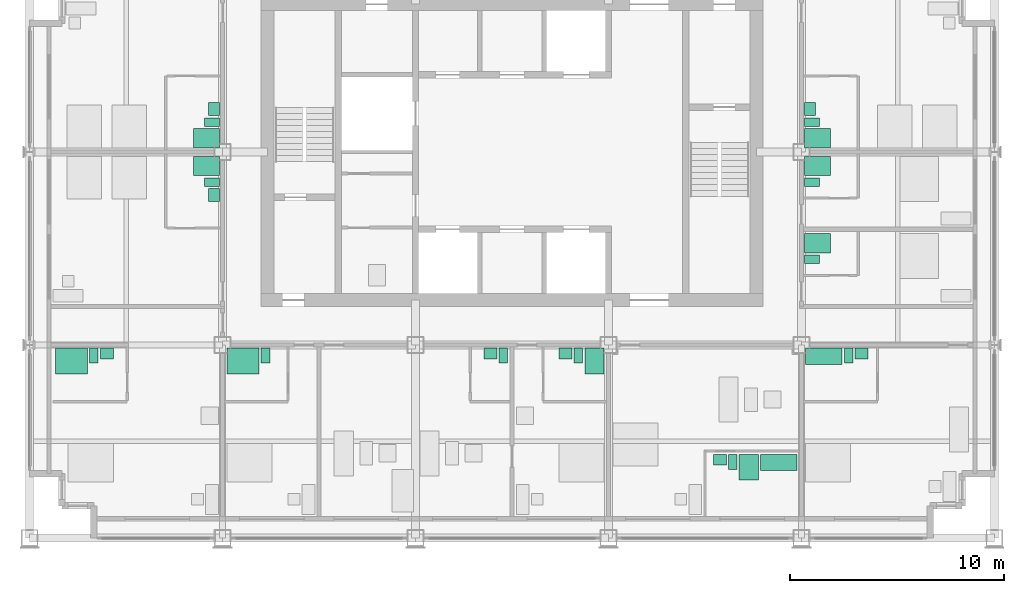
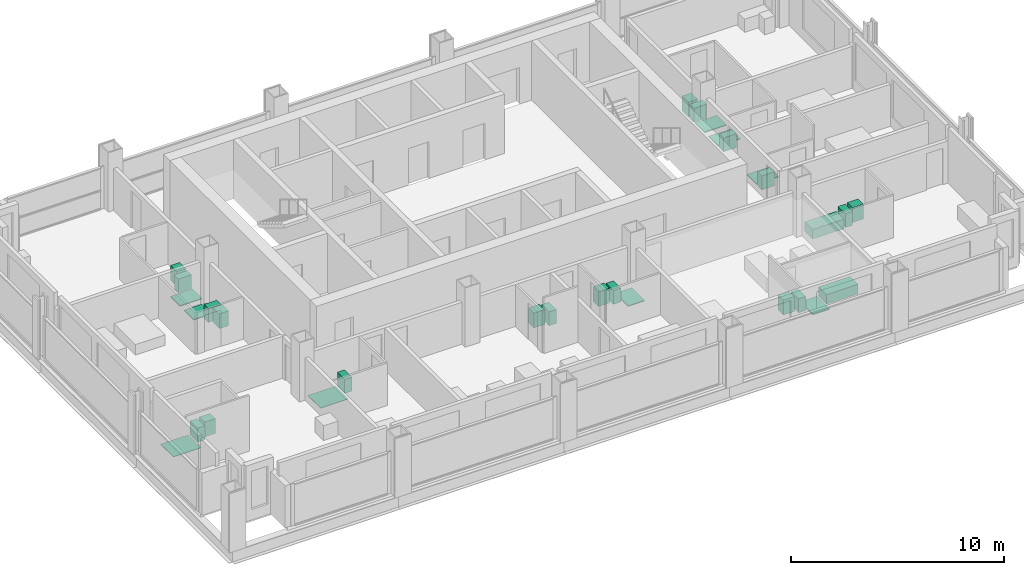
# One storey, part 12 of 13: 30 sanitary terminals.
"""IFC4 building model written with IfcOpenShell, lengths in metres."""

from ifc_helpers import new_model, si_unit, direction, frame, origin, origin_2d, place, context, subcontext, project, spatial, rectangle, extrude, element, save


model = new_model("IFC4")

# Units and contexts
model_context = context("Model", 3, precision=1e-05, world=origin(), true_north=direction((0.0, 1.0)))
body_context = subcontext(model_context, "Body", "Model", "MODEL_VIEW")
ifc_project = project(units=[si_unit("LENGTHUNIT", "METRE"), si_unit("AREAUNIT", "SQUARE_METRE"), si_unit("VOLUMEUNIT", "CUBIC_METRE"), si_unit("PLANEANGLEUNIT", "RADIAN"), si_unit("MASSUNIT", "GRAM", prefix="KILO")], contexts=[model_context])

# Site, building, storey
site_placement = place(None, origin())
site = spatial("IfcSite", under=ifc_project, at=site_placement, CompositionType="ELEMENT")
building_placement = place(site_placement, origin())
building = spatial("IfcBuilding", under=site, at=building_placement, Name="Loomwork Tower", CompositionType="ELEMENT")
storey_placement = place(building_placement, frame((0.0, 0.0, 194.39990234375)))
storey = spatial("IfcBuildingStorey", under=building, at=storey_placement, Name="L53", CompositionType="ELEMENT", Elevation=194.39990234375)

# Sanitary terminals
sanitary_terminal_1_placement = place(storey_placement, frame((1.949951171875, 8.25, 0.0), z_axis=(0.0, 0.0, 1.0), x_axis=(1.0, 0.0, 0.0)))
element("IfcSanitaryTerminal", 1, at=sanitary_terminal_1_placement, inside=storey, Name="Roll-in shower floor L53", PredefinedType="SHOWER", context=body_context, shape_type="SweptSolid", body=[
    extrude(rectangle(XDim=1.5, YDim=1.199951171875, at=origin_2d()), origin(), (0.0, 0.0, 1.0), 0.030029296875),
])
sanitary_terminal_2_placement = place(storey_placement, frame((3.0, 8.5, 0.0), z_axis=(0.0, 0.0, 1.0), x_axis=(1.0, 0.0, 0.0)))
element("IfcSanitaryTerminal", 2, at=sanitary_terminal_2_placement, inside=storey, Name="WC L53", PredefinedType="TOILETPAN", context=body_context, shape_type="SweptSolid", body=[
    extrude(rectangle(XDim=0.39990234375, YDim=0.699951171875, at=origin_2d()), origin(), (0.0, 0.0, 1.0), 0.800048828125),
])
sanitary_terminal_3_placement = place(storey_placement, frame((3.60009765625, 8.60009765625, 0.0), z_axis=(0.0, 0.0, 1.0), x_axis=(1.0, 0.0, 0.0)))
element("IfcSanitaryTerminal", 3, at=sanitary_terminal_3_placement, inside=storey, Name="Basin vanity L53", PredefinedType="WASHHANDBASIN", context=body_context, shape_type="SweptSolid", body=[
    extrude(rectangle(XDim=0.60009765625, YDim=0.5, at=origin_2d()), origin(), (0.0, 0.0, 1.0), 0.85009765625),
])
sanitary_terminal_4_placement = place(storey_placement, frame((9.949951171875, 8.25, 0.0), z_axis=(0.0, 0.0, 1.0), x_axis=(1.0, 0.0, 0.0)))
element("IfcSanitaryTerminal", 4, at=sanitary_terminal_4_placement, inside=storey, Name="Roll-in shower floor L53", PredefinedType="SHOWER", context=body_context, shape_type="SweptSolid", body=[
    extrude(rectangle(XDim=1.5, YDim=1.199951171875, at=origin_2d()), origin(), (0.0, 0.0, 1.0), 0.030029296875),
])
for number, where, z_axis, x_axis, name in (
    (5, (11.0, 8.5, 0.0), (0.0, 0.0, 1.0), (1.0, 0.0, 0.0), "WC L53"),
    (6, (22.10009765625, 8.5, 0.0), (0.0, 0.0, 1.0), (1.0, 0.0, 0.0), "WC L53"),
):
    element("IfcSanitaryTerminal", number, at=place(storey_placement, frame(where, z_axis=z_axis, x_axis=x_axis)), inside=storey, Name=name, PredefinedType="TOILETPAN", context=body_context, shape_type="SweptSolid", body=[
        extrude(rectangle(XDim=0.39990234375, YDim=0.699951171875, at=origin_2d()), origin(), (0.0, 0.0, 1.0), 0.800048828125),
    ])
sanitary_terminal_5_placement = place(storey_placement, frame((21.5, 8.60009765625, 0.0), z_axis=(0.0, 0.0, 1.0), x_axis=(1.0, 0.0, 0.0)))
element("IfcSanitaryTerminal", 7, at=sanitary_terminal_5_placement, inside=storey, Name="Basin vanity L53", PredefinedType="WASHHANDBASIN", context=body_context, shape_type="SweptSolid", body=[
    extrude(rectangle(XDim=0.60009765625, YDim=0.5, at=origin_2d()), origin(), (0.0, 0.0, 1.0), 0.85009765625),
])
sanitary_terminal_6_placement = place(storey_placement, frame((26.35009765625, 8.25, 0.0), z_axis=(0.0, 0.0, 1.0), x_axis=(1.0, 0.0, 0.0)))
element("IfcSanitaryTerminal", 8, at=sanitary_terminal_6_placement, inside=storey, Name="Shower tray L53", PredefinedType="SHOWER", context=body_context, shape_type="SweptSolid", body=[
    extrude(rectangle(XDim=0.89990234375, YDim=1.199951171875, at=origin_2d()), origin(), (0.0, 0.0, 1.0), 0.050048828125),
])
sanitary_terminal_7_placement = place(storey_placement, frame((25.60009765625, 8.5, 0.0), z_axis=(0.0, 0.0, 1.0), x_axis=(1.0, 0.0, 0.0)))
element("IfcSanitaryTerminal", 9, at=sanitary_terminal_7_placement, inside=storey, Name="WC L53", PredefinedType="TOILETPAN", context=body_context, shape_type="SweptSolid", body=[
    extrude(rectangle(XDim=0.39990234375, YDim=0.699951171875, at=origin_2d()), origin(), (0.0, 0.0, 1.0), 0.800048828125),
])
sanitary_terminal_8_placement = place(storey_placement, frame((25.0, 8.60009765625, 0.0), z_axis=(0.0, 0.0, 1.0), x_axis=(1.0, 0.0, 0.0)))
element("IfcSanitaryTerminal", 10, at=sanitary_terminal_8_placement, inside=storey, Name="Basin vanity L53", PredefinedType="WASHHANDBASIN", context=body_context, shape_type="SweptSolid", body=[
    extrude(rectangle(XDim=0.60009765625, YDim=0.5, at=origin_2d()), origin(), (0.0, 0.0, 1.0), 0.85009765625),
])
sanitary_terminal_9_placement = place(storey_placement, frame((34.949951171875, 3.52490234375, 0.0), z_axis=(0.0, 0.0, 1.0), x_axis=(1.0, 0.0, 0.0)))
element("IfcSanitaryTerminal", 11, at=sanitary_terminal_9_placement, inside=storey, Name="Bath L53", PredefinedType="BATH", context=body_context, shape_type="SweptSolid", body=[
    extrude(rectangle(XDim=1.699951171875, YDim=0.75, at=origin_2d()), origin(), (0.0, 0.0, 1.0), 0.550048828125),
])
sanitary_terminal_10_placement = place(storey_placement, frame((33.550048828125, 3.300048828125, 0.0), z_axis=(0.0, 0.0, 1.0), x_axis=(1.0, 0.0, 0.0)))
element("IfcSanitaryTerminal", 12, at=sanitary_terminal_10_placement, inside=storey, Name="Shower tray L53", PredefinedType="SHOWER", context=body_context, shape_type="SweptSolid", body=[
    extrude(rectangle(XDim=0.89990234375, YDim=1.199951171875, at=origin_2d()), origin(), (0.0, 0.0, 1.0), 0.050048828125),
])
sanitary_terminal_11_placement = place(storey_placement, frame((32.800048828125, 3.550048828125, 0.0), z_axis=(0.0, 0.0, 1.0), x_axis=(1.0, 0.0, 0.0)))
element("IfcSanitaryTerminal", 13, at=sanitary_terminal_11_placement, inside=storey, Name="WC L53", PredefinedType="TOILETPAN", context=body_context, shape_type="SweptSolid", body=[
    extrude(rectangle(XDim=0.39990234375, YDim=0.699951171875, at=origin_2d()), origin(), (0.0, 0.0, 1.0), 0.800048828125),
])
sanitary_terminal_12_placement = place(storey_placement, frame((32.199951171875, 3.64990234375, 0.0), z_axis=(0.0, 0.0, 1.0), x_axis=(1.0, 0.0, 0.0)))
element("IfcSanitaryTerminal", 14, at=sanitary_terminal_12_placement, inside=storey, Name="Basin vanity L53", PredefinedType="WASHHANDBASIN", context=body_context, shape_type="SweptSolid", body=[
    extrude(rectangle(XDim=0.60009765625, YDim=0.5, at=origin_2d()), origin(), (0.0, 0.0, 1.0), 0.85009765625),
])
sanitary_terminal_13_placement = place(storey_placement, frame((37.050048828125, 8.47509765625, 0.0), z_axis=(0.0, 0.0, 1.0), x_axis=(1.0, 0.0, 0.0)))
element("IfcSanitaryTerminal", 15, at=sanitary_terminal_13_placement, inside=storey, Name="Bath L53", PredefinedType="BATH", context=body_context, shape_type="SweptSolid", body=[
    extrude(rectangle(XDim=1.699951171875, YDim=0.75, at=origin_2d()), origin(), (0.0, 0.0, 1.0), 0.550048828125),
])
sanitary_terminal_14_placement = place(storey_placement, frame((38.199951171875, 8.5, 0.0), z_axis=(0.0, 0.0, 1.0), x_axis=(1.0, 0.0, 0.0)))
element("IfcSanitaryTerminal", 16, at=sanitary_terminal_14_placement, inside=storey, Name="WC L53", PredefinedType="TOILETPAN", context=body_context, shape_type="SweptSolid", body=[
    extrude(rectangle(XDim=0.39990234375, YDim=0.699951171875, at=origin_2d()), origin(), (0.0, 0.0, 1.0), 0.800048828125),
])
sanitary_terminal_15_placement = place(storey_placement, frame((38.800048828125, 8.60009765625, 0.0), z_axis=(0.0, 0.0, 1.0), x_axis=(1.0, 0.0, 0.0)))
element("IfcSanitaryTerminal", 17, at=sanitary_terminal_15_placement, inside=storey, Name="Basin vanity L53", PredefinedType="WASHHANDBASIN", context=body_context, shape_type="SweptSolid", body=[
    extrude(rectangle(XDim=0.60009765625, YDim=0.5, at=origin_2d()), origin(), (0.0, 0.0, 1.0), 0.85009765625),
])
sanitary_terminal_16_placement = place(storey_placement, frame((8.25, 17.35009765625, 0.0), z_axis=(0.0, 0.0, 1.0), x_axis=(1.0, 0.0, 0.0)))
element("IfcSanitaryTerminal", 18, at=sanitary_terminal_16_placement, inside=storey, Name="Shower tray L53", PredefinedType="SHOWER", context=body_context, shape_type="SweptSolid", body=[
    extrude(rectangle(XDim=1.199951171875, YDim=0.89990234375, at=origin_2d()), origin(), (0.0, 0.0, 1.0), 0.050048828125),
])
sanitary_terminal_17_placement = place(storey_placement, frame((8.5, 16.60009765625, 0.0), z_axis=(0.0, 0.0, 1.0), x_axis=(1.0, 0.0, 0.0)))
element("IfcSanitaryTerminal", 19, at=sanitary_terminal_17_placement, inside=storey, Name="WC L53", PredefinedType="TOILETPAN", context=body_context, shape_type="SweptSolid", body=[
    extrude(rectangle(XDim=0.699951171875, YDim=0.39990234375, at=origin_2d()), origin(), (0.0, 0.0, 1.0), 0.800048828125),
])
sanitary_terminal_18_placement = place(storey_placement, frame((8.60009765625, 16.0, 0.0), z_axis=(0.0, 0.0, 1.0), x_axis=(1.0, 0.0, 0.0)))
element("IfcSanitaryTerminal", 20, at=sanitary_terminal_18_placement, inside=storey, Name="Basin vanity L53", PredefinedType="WASHHANDBASIN", context=body_context, shape_type="SweptSolid", body=[
    extrude(rectangle(XDim=0.5, YDim=0.60009765625, at=origin_2d()), origin(), (0.0, 0.0, 1.0), 0.85009765625),
])
sanitary_terminal_19_placement = place(storey_placement, frame((8.25, 18.64990234375, 0.0), z_axis=(0.0, 0.0, 1.0), x_axis=(1.0, 0.0, 0.0)))
element("IfcSanitaryTerminal", 21, at=sanitary_terminal_19_placement, inside=storey, Name="Shower tray L53", PredefinedType="SHOWER", context=body_context, shape_type="SweptSolid", body=[
    extrude(rectangle(XDim=1.199951171875, YDim=0.89990234375, at=origin_2d()), origin(), (0.0, 0.0, 1.0), 0.050048828125),
])
sanitary_terminal_20_placement = place(storey_placement, frame((8.5, 19.39990234375, 0.0), z_axis=(0.0, 0.0, 1.0), x_axis=(1.0, 0.0, 0.0)))
element("IfcSanitaryTerminal", 22, at=sanitary_terminal_20_placement, inside=storey, Name="WC L53", PredefinedType="TOILETPAN", context=body_context, shape_type="SweptSolid", body=[
    extrude(rectangle(XDim=0.699951171875, YDim=0.39990234375, at=origin_2d()), origin(), (0.0, 0.0, 1.0), 0.800048828125),
])
sanitary_terminal_21_placement = place(storey_placement, frame((8.60009765625, 20.0, 0.0), z_axis=(0.0, 0.0, 1.0), x_axis=(1.0, 0.0, 0.0)))
element("IfcSanitaryTerminal", 23, at=sanitary_terminal_21_placement, inside=storey, Name="Basin vanity L53", PredefinedType="WASHHANDBASIN", context=body_context, shape_type="SweptSolid", body=[
    extrude(rectangle(XDim=0.5, YDim=0.60009765625, at=origin_2d()), origin(), (0.0, 0.0, 1.0), 0.85009765625),
])
sanitary_terminal_22_placement = place(storey_placement, frame((36.75, 13.75, 0.0), z_axis=(0.0, 0.0, 1.0), x_axis=(1.0, 0.0, 0.0)))
element("IfcSanitaryTerminal", 24, at=sanitary_terminal_22_placement, inside=storey, Name="Shower tray L53", PredefinedType="SHOWER", context=body_context, shape_type="SweptSolid", body=[
    extrude(rectangle(XDim=1.199951171875, YDim=0.89990234375, at=origin_2d()), origin(), (0.0, 0.0, 1.0), 0.050048828125),
])
sanitary_terminal_23_placement = place(storey_placement, frame((36.5, 13.0, 0.0), z_axis=(0.0, 0.0, 1.0), x_axis=(1.0, 0.0, 0.0)))
element("IfcSanitaryTerminal", 25, at=sanitary_terminal_23_placement, inside=storey, Name="WC L53", PredefinedType="TOILETPAN", context=body_context, shape_type="SweptSolid", body=[
    extrude(rectangle(XDim=0.699951171875, YDim=0.39990234375, at=origin_2d()), origin(), (0.0, 0.0, 1.0), 0.800048828125),
])
sanitary_terminal_24_placement = place(storey_placement, frame((36.75, 17.35009765625, 0.0), z_axis=(0.0, 0.0, 1.0), x_axis=(1.0, 0.0, 0.0)))
element("IfcSanitaryTerminal", 26, at=sanitary_terminal_24_placement, inside=storey, Name="Shower tray L53", PredefinedType="SHOWER", context=body_context, shape_type="SweptSolid", body=[
    extrude(rectangle(XDim=1.199951171875, YDim=0.89990234375, at=origin_2d()), origin(), (0.0, 0.0, 1.0), 0.050048828125),
])
sanitary_terminal_25_placement = place(storey_placement, frame((36.5, 16.60009765625, 0.0), z_axis=(0.0, 0.0, 1.0), x_axis=(1.0, 0.0, 0.0)))
element("IfcSanitaryTerminal", 27, at=sanitary_terminal_25_placement, inside=storey, Name="WC L53", PredefinedType="TOILETPAN", context=body_context, shape_type="SweptSolid", body=[
    extrude(rectangle(XDim=0.699951171875, YDim=0.39990234375, at=origin_2d()), origin(), (0.0, 0.0, 1.0), 0.800048828125),
])
sanitary_terminal_26_placement = place(storey_placement, frame((36.75, 18.64990234375, 0.0), z_axis=(0.0, 0.0, 1.0), x_axis=(1.0, 0.0, 0.0)))
element("IfcSanitaryTerminal", 28, at=sanitary_terminal_26_placement, inside=storey, Name="Shower tray L53", PredefinedType="SHOWER", context=body_context, shape_type="SweptSolid", body=[
    extrude(rectangle(XDim=1.199951171875, YDim=0.89990234375, at=origin_2d()), origin(), (0.0, 0.0, 1.0), 0.050048828125),
])
sanitary_terminal_27_placement = place(storey_placement, frame((36.5, 19.39990234375, 0.0), z_axis=(0.0, 0.0, 1.0), x_axis=(1.0, 0.0, 0.0)))
element("IfcSanitaryTerminal", 29, at=sanitary_terminal_27_placement, inside=storey, Name="WC L53", PredefinedType="TOILETPAN", context=body_context, shape_type="SweptSolid", body=[
    extrude(rectangle(XDim=0.699951171875, YDim=0.39990234375, at=origin_2d()), origin(), (0.0, 0.0, 1.0), 0.800048828125),
])
sanitary_terminal_28_placement = place(storey_placement, frame((36.39990234375, 20.0, 0.0), z_axis=(0.0, 0.0, 1.0), x_axis=(1.0, 0.0, 0.0)))
element("IfcSanitaryTerminal", 30, at=sanitary_terminal_28_placement, inside=storey, Name="Basin vanity L53", PredefinedType="WASHHANDBASIN", context=body_context, shape_type="SweptSolid", body=[
    extrude(rectangle(XDim=0.5, YDim=0.60009765625, at=origin_2d()), origin(), (0.0, 0.0, 1.0), 0.85009765625),
])

save(model, "model.ifc")
